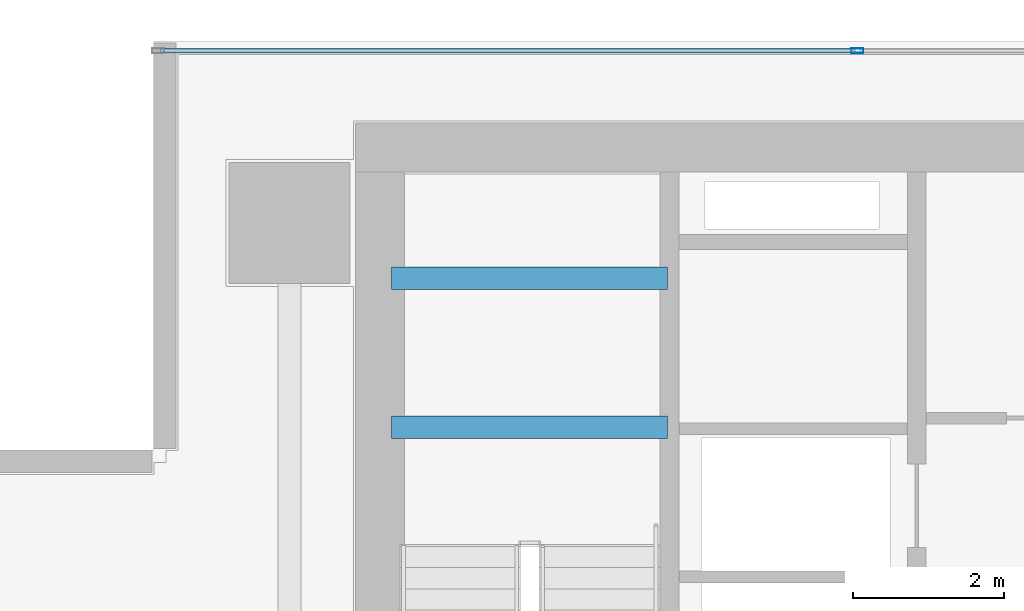
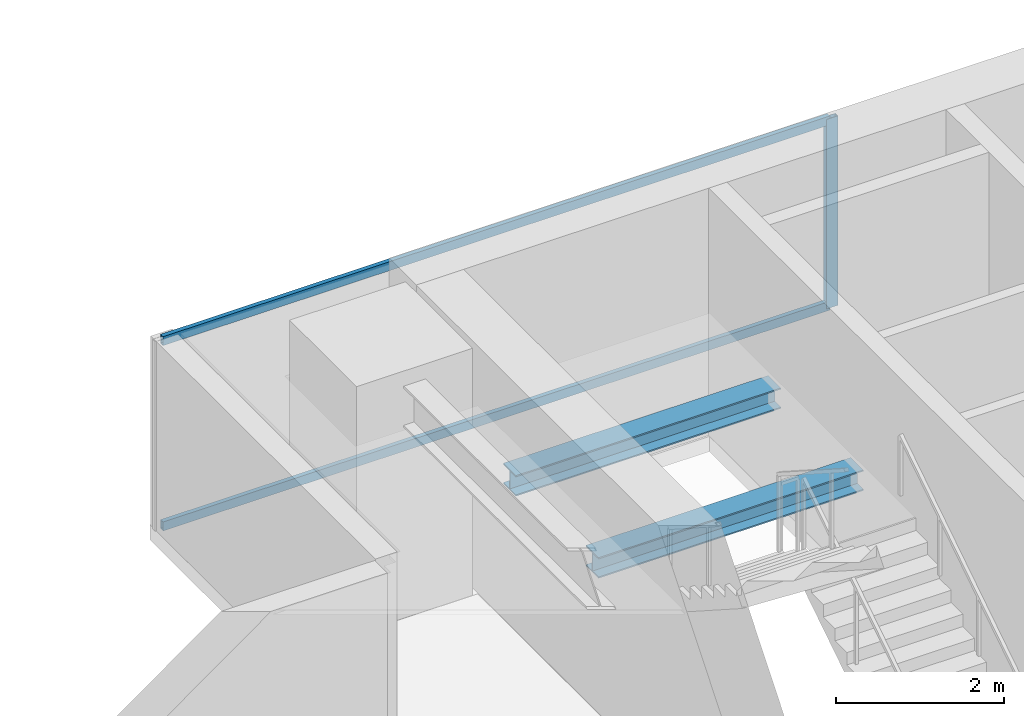
# One storey, part 15 of 27: 3 members, 2 beams, 1 element without a shape of its own.
"""IFC4 building model written with IfcOpenShell, lengths in metres."""

from ifc_helpers import new_model, si_unit, direction, frame, origin, origin_2d, place, context, subcontext, project, spatial, hollow_rectangle, i_section, extrude, source, transform, mapped, material, layer, layer_set, material_profile, profile_set, type_object, element, aggregate, save


model = new_model("IFC4")

# Units and contexts
model_context = context("Model", 3, precision=1e-05, world=origin(), true_north=direction((0.0, 1.0)))
body_context = subcontext(model_context, "Body", "Model", "MODEL_VIEW")
ifc_project = project(units=[si_unit("LENGTHUNIT", "METRE"), si_unit("AREAUNIT", "SQUARE_METRE"), si_unit("VOLUMEUNIT", "CUBIC_METRE"), si_unit("PLANEANGLEUNIT", "RADIAN"), si_unit("MASSUNIT", "GRAM", prefix="KILO")], contexts=[model_context])

# Site, building, storey
site_placement = place(None, origin())
site = spatial("IfcSite", under=ifc_project, at=site_placement, CompositionType="ELEMENT")
building_placement = place(site_placement, origin())
building = spatial("IfcBuilding", under=site, at=building_placement, Name="Sumidabori Civic Tower", CompositionType="ELEMENT")
storey_placement = place(building_placement, frame((0.0, 0.0, 156.800048828125)))
storey = spatial("IfcBuildingStorey", under=building, at=storey_placement, Name="L40", CompositionType="ELEMENT", Elevation=156.800048828125)

# Beams
ifc_material_1 = material(Name="Steel SN490", Category="steel")
ifc_material_profile_1 = material_profile(ifc_material_1, i_section(OverallWidth=0.300048828125, OverallDepth=0.300048828125, WebThickness=0.010986328125, FlangeThickness=0.01904296875, at=origin_2d()), Name="HE 300 B")
ifc_profile_set_1 = profile_set([ifc_material_profile_1], Name="Steel SN490")
beam_type = type_object("IfcBeamType", Name="BM-LDG-300", PredefinedType="BEAM", material=ifc_profile_set_1)
shared_shape_1 = source(origin(), body_context, "Body", "SweptSolid", [
    extrude(i_section(OverallWidth=0.300048828125, OverallDepth=0.300048828125, WebThickness=0.010986328125, FlangeThickness=0.01904296875, at=origin_2d()), origin(), (0.0, 0.0, 1.0), 3.64990234375),
])
for number, where, z_axis, x_axis, name in (
    (1, (-15.449951171875, 20.09765625, 1.449951171875), (1.0, 0.0, 0.0), (0.0, 1.0, 0.0), "Stair ST-1 Landing Support Beam L40-1A"),
    (2, (-15.449951171875, 22.069580078125, 1.449951171875), (1.0, 0.0, 0.0), (0.0, 1.0, 0.0), "Stair ST-1 Landing Trimmer Beam L40-1B"),
):
    element("IfcBeam", number, at=place(storey_placement, frame(where, z_axis=z_axis, x_axis=x_axis)), inside=storey, type_object=beam_type, Name=name, PredefinedType="BEAM", context=body_context, shape_type="MappedRepresentation", body=[
        mapped(shared_shape_1, transform((0.0, 0.0, 0.0), x_axis=(1.0, 0.0, 0.0), y_axis=(0.0, 1.0, 0.0), z_axis=(0.0, 0.0, 1.0), scale=1.0)),
    ])

# Curtain wall, members
ifc_material_2 = material(Name="Anodised Bronze Aluminium AW-6063-T6", Category="aluminium")
ifc_layer = layer(ifc_material_2, 0.179931640625, Name="Anodised Bronze Aluminium AW-6063-T6")
ifc_layer_set = layer_set([ifc_layer], Name="Anodised Bronze Aluminium AW-6063-T6")
curtain_wall_type = type_object("IfcCurtainWallType", Name="CW-SYS-3", PredefinedType="NOTDEFINED", material=ifc_layer_set)
curtain_wall_placement = place(storey_placement, origin())
curtain_wall = element("IfcCurtainWall", 3, at=curtain_wall_placement, inside=storey, type_object=curtain_wall_type, Name="Curtain Wall CW:L40:R07", PredefinedType="NOTDEFINED")
ifc_material_profile_2 = material_profile(ifc_material_2, hollow_rectangle(XDim=0.06494140625, YDim=0.159912109375, WallThickness=0.0048828125, at=origin_2d()), Name="ALU MULLION 160x65")
ifc_profile_set_2 = profile_set([ifc_material_profile_2], Name="Anodised Bronze Aluminium AW-6063-T6")
member_type_1 = type_object("IfcMemberType", Name="CW-MUL-160", PredefinedType="MULLION", material=ifc_profile_set_2)
shared_shape_2 = source(origin(), body_context, "Body", "SweptSolid", [
    extrude(hollow_rectangle(XDim=0.06494140625, YDim=0.159912109375, WallThickness=0.0048828125, at=origin_2d()), origin(), (0.0, 0.0, 1.0), 2.760009765625),
])
member_1_placement = place(storey_placement, frame((-9.284912109375, 25.080078125, 0.0), z_axis=(0.0, 0.0, 1.0), x_axis=(0.0, -1.0, 0.0)))
member_1 = element("IfcMember", 4, at=member_1_placement, type_object=member_type_1, Name="CW-3 mullion 4", PredefinedType="MULLION", context=body_context, shape_type="MappedRepresentation", body=[
    mapped(shared_shape_2, transform((0.0, 0.0, 0.0), x_axis=(1.0, 0.0, 0.0), y_axis=(0.0, 1.0, 0.0), z_axis=(0.0, 0.0, 1.0), scale=1.0)),
])
ifc_material_profile_3 = material_profile(ifc_material_2, hollow_rectangle(XDim=0.06005859375, YDim=0.1298828125, WallThickness=0.0048828125, at=origin_2d()), Name="ALU TRANSOM 130x60")
ifc_profile_set_3 = profile_set([ifc_material_profile_3], Name="Anodised Bronze Aluminium AW-6063-T6")
member_type_2 = type_object("IfcMemberType", Name="CW-TRN-130", PredefinedType="USERDEFINED", material=ifc_profile_set_3)
shared_shape_3 = source(origin(), body_context, "Body", "SweptSolid", [
    extrude(hollow_rectangle(XDim=0.06005859375, YDim=0.1298828125, WallThickness=0.0048828125, at=origin_2d()), origin(), (0.0, 0.0, 1.0), 9.1875),
])
member_2_placement = place(storey_placement, frame((-9.3173828125, 25.080078125, 0.030029296875), z_axis=(-1.0, 0.0, 0.0), x_axis=(0.0, -1.0, 0.0)))
member_2 = element("IfcMember", 5, at=member_2_placement, type_object=member_type_2, Name="CW-3 transom 4.1", ObjectType="TRANSOM", PredefinedType="USERDEFINED", context=body_context, shape_type="MappedRepresentation", body=[
    mapped(shared_shape_3, transform((0.0, 0.0, 0.0), x_axis=(1.0, 0.0, 0.0), y_axis=(0.0, 1.0, 0.0), z_axis=(0.0, 0.0, 1.0), scale=1.0)),
])
member_3_placement = place(storey_placement, frame((-9.3173828125, 25.080078125, 2.72998046875), z_axis=(-1.0, 0.0, 0.0), x_axis=(0.0, -1.0, 0.0)))
member_3 = element("IfcMember", 6, at=member_3_placement, type_object=member_type_2, Name="CW-3 transom 4.2", ObjectType="TRANSOM", PredefinedType="USERDEFINED", context=body_context, shape_type="MappedRepresentation", body=[
    mapped(shared_shape_3, transform((0.0, 0.0, 0.0), x_axis=(1.0, 0.0, 0.0), y_axis=(0.0, 1.0, 0.0), z_axis=(0.0, 0.0, 1.0), scale=1.0)),
])
aggregate(curtain_wall, [member_1, member_2, member_3])

save(model, "model.ifc")
